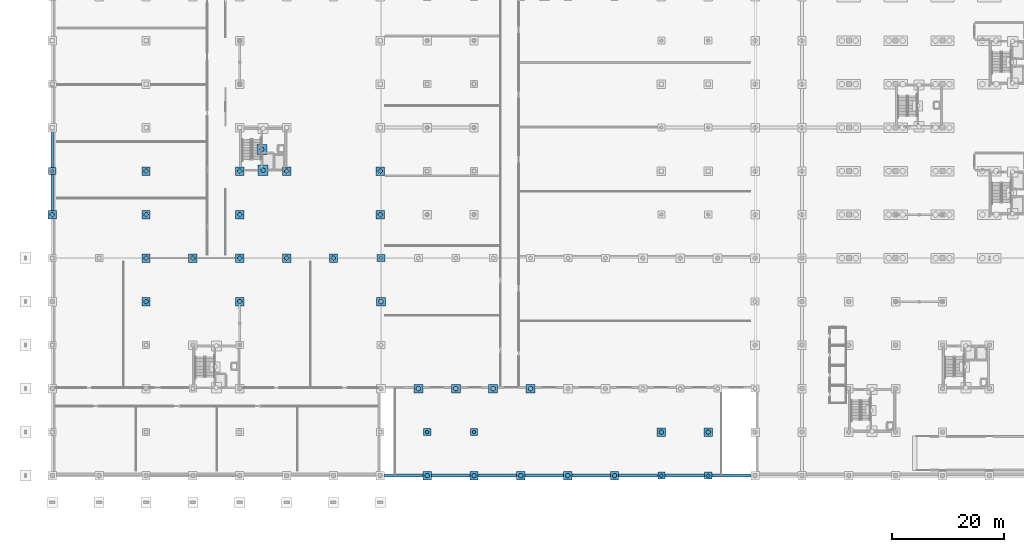
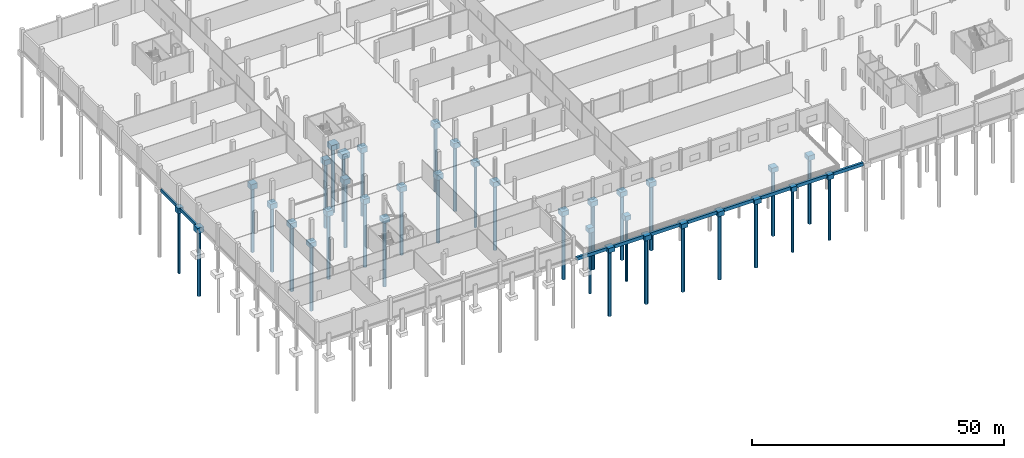
# One storey, part 2 of 48: 45 footings, 35 piles.
"""IFC4 building model written with IfcOpenShell, lengths in metres."""

from ifc_helpers import new_model, si_unit, direction, frame, origin, origin_2d, place, context, subcontext, project, spatial, polyline, rectangle, circle, outline, extrude, material, material_profile, profile_set, type_object, element, save


model = new_model("IFC4")

# Units and contexts
model_context = context("Model", 3, precision=1e-05, world=origin(), true_north=direction((0.0, 1.0)))
body_context = subcontext(model_context, "Body", "Model", "MODEL_VIEW")
ifc_project = project(units=[si_unit("LENGTHUNIT", "METRE"), si_unit("AREAUNIT", "SQUARE_METRE"), si_unit("VOLUMEUNIT", "CUBIC_METRE"), si_unit("PLANEANGLEUNIT", "RADIAN"), si_unit("MASSUNIT", "GRAM", prefix="KILO")], contexts=[model_context])

# Site, building, storey
site_placement = place(None, origin())
site = spatial("IfcSite", under=ifc_project, at=site_placement, CompositionType="ELEMENT")
building_placement = place(site_placement, origin())
building = spatial("IfcBuilding", under=site, at=building_placement, Name="Nabrawat Pavilion Hospital", CompositionType="ELEMENT")
storey_placement = place(building_placement, frame((0.0, 0.0, -5.10009765625)))
storey = spatial("IfcBuildingStorey", under=building, at=storey_placement, Name="B1", CompositionType="ELEMENT", Elevation=-5.10009765625)

# Piles
ifc_material = material(Name="Concrete C35/45", Category="concrete")
ifc_material_profile_1 = material_profile(ifc_material, circle(Radius=0.300048828125, at=origin_2d()), Name="DIA 600")
ifc_profile_set_1 = profile_set([ifc_material_profile_1], Name="Concrete C35/45")
pile_type_1 = type_object("IfcPileType", Name="Bored Concrete Pile D600", PredefinedType="BORED", material=ifc_profile_set_1)
pile_1_placement = place(storey_placement, frame((0.0, 54.60009765625, -1.39990234375), z_axis=(0.0, 0.0, -1.0), x_axis=(1.0, 0.0, 0.0)))
element("IfcPile", 1, at=pile_1_placement, inside=storey, type_object=pile_type_1, Name="Bored Pile P-600 0008", PredefinedType="BORED", context=body_context, shape_type="SweptSolid", body=[
    extrude(circle(Radius=0.300048828125, at=origin_2d()), origin(), (0.0, 0.0, 1.0), 15.0),
])
pile_2_placement = place(storey_placement, frame((58.919921875, 39.0, -1.2998046875), z_axis=(0.0, 0.0, -1.0), x_axis=(1.0, 0.0, 0.0)))
element("IfcPile", 2, at=pile_2_placement, inside=storey, type_object=pile_type_1, Name="Bored Pile P-600 0086", PredefinedType="BORED", context=body_context, shape_type="SweptSolid", body=[
    extrude(circle(Radius=0.300048828125, at=origin_2d()), origin(), (0.0, 0.0, 1.0), 15.10009765625),
])
for number, where, z_axis, x_axis, name in (
    (3, (67.199951171875, 7.800048828125, -1.27001953125), (0.0, 0.0, -1.0), (1.0, 0.0, 0.0), "Bored Pile P-600 0090"),
    (4, (75.60009765625, 7.800048828125, -1.27001953125), (0.0, 0.0, -1.0), (1.0, 0.0, 0.0), "Bored Pile P-600 0104"),
    (5, (109.199951171875, 0.0, -1.27001953125), (0.0, 0.0, -1.0), (1.0, 0.0, 0.0), "Bored Pile P-600 0136"),
    (6, (117.60009765625, 0.0, -1.27001953125), (0.0, 0.0, -1.0), (1.0, 0.0, 0.0), "Bored Pile P-600 0150"),
):
    element("IfcPile", number, at=place(storey_placement, frame(where, z_axis=z_axis, x_axis=x_axis)), inside=storey, type_object=pile_type_1, Name=name, PredefinedType="BORED", context=body_context, shape_type="SweptSolid", body=[
        extrude(circle(Radius=0.300048828125, at=origin_2d()), origin(), (0.0, 0.0, 1.0), 15.1298828125),
    ])
ifc_material_profile_2 = material_profile(ifc_material, circle(Radius=0.39990234375, at=origin_2d()), Name="DIA 800")
ifc_profile_set_2 = profile_set([ifc_material_profile_2], Name="Concrete C35/45")
pile_type_2 = type_object("IfcPileType", Name="Bored Concrete Pile D800", PredefinedType="BORED", material=ifc_profile_set_2)
pile_3_placement = place(storey_placement, frame((0.0, 46.800048828125, -1.39990234375), z_axis=(0.0, 0.0, -1.0), x_axis=(1.0, 0.0, 0.0)))
element("IfcPile", 7, at=pile_3_placement, inside=storey, type_object=pile_type_2, Name="Bored Pile P-800 0007", PredefinedType="BORED", context=body_context, shape_type="SweptSolid", body=[
    extrude(circle(Radius=0.39990234375, at=origin_2d()), origin(), (0.0, 0.0, 1.0), 15.699951171875),
])
pile_4_placement = place(storey_placement, frame((16.800048828125, 31.199951171875, -1.27001953125), z_axis=(0.0, 0.0, -1.0), x_axis=(1.0, 0.0, 0.0)))
element("IfcPile", 8, at=pile_4_placement, inside=storey, type_object=pile_type_2, Name="Bored Pile P-800 0025", PredefinedType="BORED", context=body_context, shape_type="SweptSolid", body=[
    extrude(circle(Radius=0.39990234375, at=origin_2d()), origin(), (0.0, 0.0, 1.0), 15.830078125),
])
for number, where, z_axis, x_axis, name in (
    (9, (16.800048828125, 39.0, -1.39990234375), (0.0, 0.0, -1.0), (1.0, 0.0, 0.0), "Bored Pile P-800 0026"),
    (10, (16.800048828125, 46.800048828125, -1.39990234375), (0.0, 0.0, -1.0), (1.0, 0.0, 0.0), "Bored Pile P-800 0027"),
    (11, (16.800048828125, 54.60009765625, -1.39990234375), (0.0, 0.0, -1.0), (1.0, 0.0, 0.0), "Bored Pile P-800 0028"),
    (12, (25.199951171875, 39.0, -1.39990234375), (0.0, 0.0, -1.0), (1.0, 0.0, 0.0), "Bored Pile P-800 0040"),
):
    element("IfcPile", number, at=place(storey_placement, frame(where, z_axis=z_axis, x_axis=x_axis)), inside=storey, type_object=pile_type_2, Name=name, PredefinedType="BORED", context=body_context, shape_type="SweptSolid", body=[
        extrude(circle(Radius=0.39990234375, at=origin_2d()), origin(), (0.0, 0.0, 1.0), 15.699951171875),
    ])
pile_5_placement = place(storey_placement, frame((33.60009765625, 31.199951171875, -1.27001953125), z_axis=(0.0, 0.0, -1.0), x_axis=(1.0, 0.0, 0.0)))
element("IfcPile", 13, at=pile_5_placement, inside=storey, type_object=pile_type_2, Name="Bored Pile P-800 0049", PredefinedType="BORED", context=body_context, shape_type="SweptSolid", body=[
    extrude(circle(Radius=0.39990234375, at=origin_2d()), origin(), (0.0, 0.0, 1.0), 15.830078125),
])
for number, where, z_axis, x_axis, name in (
    (14, (33.60009765625, 39.0, -1.39990234375), (0.0, 0.0, -1.0), (1.0, 0.0, 0.0), "Bored Pile P-800 0050"),
    (15, (33.60009765625, 46.800048828125, -1.39990234375), (0.0, 0.0, -1.0), (1.0, 0.0, 0.0), "Bored Pile P-800 0051"),
    (16, (33.60009765625, 54.60009765625, -1.39990234375), (0.0, 0.0, -1.0), (1.0, 0.0, 0.0), "Bored Pile P-800 0052"),
    (17, (42.0, 39.0, -1.39990234375), (0.0, 0.0, -1.0), (1.0, 0.0, 0.0), "Bored Pile P-800 0062"),
    (18, (42.0, 54.60009765625, -1.39990234375), (0.0, 0.0, -1.0), (1.0, 0.0, 0.0), "Bored Pile P-800 0063"),
    (19, (50.39990234375, 39.0, -1.39990234375), (0.0, 0.0, -1.0), (1.0, 0.0, 0.0), "Bored Pile P-800 0068"),
    (20, (58.800048828125, 46.800048828125, -1.39990234375), (0.0, 0.0, -1.0), (1.0, 0.0, 0.0), "Bored Pile P-800 0073"),
    (21, (58.800048828125, 54.60009765625, -1.39990234375), (0.0, 0.0, -1.0), (1.0, 0.0, 0.0), "Bored Pile P-800 0074"),
):
    element("IfcPile", number, at=place(storey_placement, frame(where, z_axis=z_axis, x_axis=x_axis)), inside=storey, type_object=pile_type_2, Name=name, PredefinedType="BORED", context=body_context, shape_type="SweptSolid", body=[
        extrude(circle(Radius=0.39990234375, at=origin_2d()), origin(), (0.0, 0.0, 1.0), 15.699951171875),
    ])
for number, where, z_axis, x_axis, name in (
    (22, (58.919921875, 31.199951171875, -1.2998046875), (0.0, 0.0, -1.0), (1.0, 0.0, 0.0), "Bored Pile P-800 0085"),
    (23, (65.6279296875, 15.60009765625, -1.2998046875), (0.0, 0.0, -1.0), (1.0, 0.0, 0.0), "Bored Pile P-800 0087"),
):
    element("IfcPile", number, at=place(storey_placement, frame(where, z_axis=z_axis, x_axis=x_axis)), inside=storey, type_object=pile_type_2, Name=name, PredefinedType="BORED", context=body_context, shape_type="SweptSolid", body=[
        extrude(circle(Radius=0.39990234375, at=origin_2d()), origin(), (0.0, 0.0, 1.0), 15.800048828125),
    ])
pile_6_placement = place(storey_placement, frame((67.199951171875, 0.0, -1.27001953125), z_axis=(0.0, 0.0, -1.0), x_axis=(1.0, 0.0, 0.0)))
element("IfcPile", 24, at=pile_6_placement, inside=storey, type_object=pile_type_2, Name="Bored Pile P-800 0089", PredefinedType="BORED", context=body_context, shape_type="SweptSolid", body=[
    extrude(circle(Radius=0.39990234375, at=origin_2d()), origin(), (0.0, 0.0, 1.0), 15.830078125),
])
pile_7_placement = place(storey_placement, frame((72.3359375, 15.60009765625, -1.2998046875), z_axis=(0.0, 0.0, -1.0), x_axis=(1.0, 0.0, 0.0)))
element("IfcPile", 25, at=pile_7_placement, inside=storey, type_object=pile_type_2, Name="Bored Pile P-800 0101", PredefinedType="BORED", context=body_context, shape_type="SweptSolid", body=[
    extrude(circle(Radius=0.39990234375, at=origin_2d()), origin(), (0.0, 0.0, 1.0), 15.800048828125),
])
pile_8_placement = place(storey_placement, frame((75.60009765625, 0.0, -1.27001953125), z_axis=(0.0, 0.0, -1.0), x_axis=(1.0, 0.0, 0.0)))
element("IfcPile", 26, at=pile_8_placement, inside=storey, type_object=pile_type_2, Name="Bored Pile P-800 0103", PredefinedType="BORED", context=body_context, shape_type="SweptSolid", body=[
    extrude(circle(Radius=0.39990234375, at=origin_2d()), origin(), (0.0, 0.0, 1.0), 15.830078125),
])
pile_9_placement = place(storey_placement, frame((79.0439453125, 15.60009765625, -1.2998046875), z_axis=(0.0, 0.0, -1.0), x_axis=(1.0, 0.0, 0.0)))
element("IfcPile", 27, at=pile_9_placement, inside=storey, type_object=pile_type_2, Name="Bored Pile P-800 0115", PredefinedType="BORED", context=body_context, shape_type="SweptSolid", body=[
    extrude(circle(Radius=0.39990234375, at=origin_2d()), origin(), (0.0, 0.0, 1.0), 15.800048828125),
])
pile_10_placement = place(storey_placement, frame((84.0, 0.0, -1.27001953125), z_axis=(0.0, 0.0, -1.0), x_axis=(1.0, 0.0, 0.0)))
element("IfcPile", 28, at=pile_10_placement, inside=storey, type_object=pile_type_2, Name="Bored Pile P-800 0117", PredefinedType="BORED", context=body_context, shape_type="SweptSolid", body=[
    extrude(circle(Radius=0.39990234375, at=origin_2d()), origin(), (0.0, 0.0, 1.0), 15.830078125),
])
pile_11_placement = place(storey_placement, frame((85.751953125, 15.60009765625, -1.2998046875), z_axis=(0.0, 0.0, -1.0), x_axis=(1.0, 0.0, 0.0)))
element("IfcPile", 29, at=pile_11_placement, inside=storey, type_object=pile_type_2, Name="Bored Pile P-800 0121", PredefinedType="BORED", context=body_context, shape_type="SweptSolid", body=[
    extrude(circle(Radius=0.39990234375, at=origin_2d()), origin(), (0.0, 0.0, 1.0), 15.800048828125),
])
for number, where, z_axis, x_axis, name in (
    (30, (92.39990234375, 0.0, -1.27001953125), (0.0, 0.0, -1.0), (1.0, 0.0, 0.0), "Bored Pile P-800 0123"),
    (31, (100.800048828125, 0.0, -1.27001953125), (0.0, 0.0, -1.0), (1.0, 0.0, 0.0), "Bored Pile P-800 0131"),
    (32, (109.199951171875, 7.800048828125, -1.27001953125), (0.0, 0.0, -1.0), (1.0, 0.0, 0.0), "Bored Pile P-800 0137"),
    (33, (117.60009765625, 7.800048828125, -1.27001953125), (0.0, 0.0, -1.0), (1.0, 0.0, 0.0), "Bored Pile P-800 0151"),
):
    element("IfcPile", number, at=place(storey_placement, frame(where, z_axis=z_axis, x_axis=x_axis)), inside=storey, type_object=pile_type_2, Name=name, PredefinedType="BORED", context=body_context, shape_type="SweptSolid", body=[
        extrude(circle(Radius=0.39990234375, at=origin_2d()), origin(), (0.0, 0.0, 1.0), 15.830078125),
    ])
for number, where, z_axis, x_axis, name in (
    (34, (37.800048828125, 54.75, -1.369873046875), (0.0, 0.0, -1.0), (1.0, 0.0, 0.0), "Bored Pile P-800 0378"),
    (35, (37.550048828125, 58.5, -1.369873046875), (0.0, 0.0, -1.0), (1.0, 0.0, 0.0), "Bored Pile P-800 0380"),
):
    element("IfcPile", number, at=place(storey_placement, frame(where, z_axis=z_axis, x_axis=x_axis)), inside=storey, type_object=pile_type_2, Name=name, PredefinedType="BORED", context=body_context, shape_type="SweptSolid", body=[
        extrude(circle(Radius=0.39990234375, at=origin_2d()), origin(), (0.0, 0.0, 1.0), 15.72998046875),
    ])

# Footings
ifc_material_profile_3 = material_profile(ifc_material, rectangle(XDim=0.39990234375, YDim=0.699951171875, at=origin_2d()), Name="RC 400x700")
ifc_profile_set_3 = profile_set([ifc_material_profile_3], Name="Concrete C35/45")
footing_type_1 = type_object("IfcFootingType", Name="Concrete Ground Tie Beam 400x700", PredefinedType="FOOTING_BEAM", material=ifc_profile_set_3)
for number, where, z_axis, x_axis, name in (
    (36, (0.0, 47.530029296875, -0.56982421875), (0.0, 1.0, 0.0), (-1.0, 0.0, 0.0), "B1 Ground Tie Beam Y 049"),
    (37, (0.0, 55.22998046875, -0.56982421875), (0.0, 1.0, 0.0), (-1.0, 0.0, 0.0), "B1 Ground Tie Beam Y 050"),
):
    element("IfcFooting", number, at=place(storey_placement, frame(where, z_axis=z_axis, x_axis=x_axis)), inside=storey, type_object=footing_type_1, Name=name, PredefinedType="FOOTING_BEAM", context=body_context, shape_type="SweptSolid", body=[
        extrude(rectangle(XDim=0.39990234375, YDim=0.699951171875, at=origin_2d()), origin(), (0.0, 0.0, 1.0), 6.43994140625),
    ])
ifc_material_profile_4 = material_profile(ifc_material, rectangle(XDim=0.5, YDim=0.800048828125, at=origin_2d()), Name="RC 500x800")
ifc_profile_set_4 = profile_set([ifc_material_profile_4], Name="Concrete C35/45")
footing_type_2 = type_object("IfcFootingType", Name="Concrete Ground Tie Beam 500x800", PredefinedType="FOOTING_BEAM", material=ifc_profile_set_4)
footing_1_placement = place(storey_placement, frame((59.530029296875, 0.0, -0.619873046875), z_axis=(1.0, 0.0, 0.0), x_axis=(0.0, 1.0, 0.0)))
element("IfcFooting", 38, at=footing_1_placement, inside=storey, type_object=footing_type_2, Name="B1 Ground Tie Beam X 008", PredefinedType="FOOTING_BEAM", context=body_context, shape_type="SweptSolid", body=[
    extrude(rectangle(XDim=0.5, YDim=0.800048828125, at=origin_2d()), origin(), (0.0, 0.0, 1.0), 6.93994140625),
])
footing_2_placement = place(storey_placement, frame((67.929931640625, 0.0, -0.619873046875), z_axis=(1.0, 0.0, 0.0), x_axis=(0.0, 1.0, 0.0)))
element("IfcFooting", 39, at=footing_2_placement, inside=storey, type_object=footing_type_2, Name="B1 Ground Tie Beam X 009", PredefinedType="FOOTING_BEAM", context=body_context, shape_type="SweptSolid", body=[
    extrude(rectangle(XDim=0.5, YDim=0.800048828125, at=origin_2d()), origin(), (0.0, 0.0, 1.0), 6.940185546875),
])
for number, where, z_axis, x_axis, name in (
    (40, (76.330078125, 0.0, -0.619873046875), (1.0, 0.0, 0.0), (0.0, 1.0, 0.0), "B1 Ground Tie Beam X 010"),
    (41, (84.72998046875, 0.0, -0.619873046875), (1.0, 0.0, 0.0), (0.0, 1.0, 0.0), "B1 Ground Tie Beam X 011"),
):
    element("IfcFooting", number, at=place(storey_placement, frame(where, z_axis=z_axis, x_axis=x_axis)), inside=storey, type_object=footing_type_2, Name=name, PredefinedType="FOOTING_BEAM", context=body_context, shape_type="SweptSolid", body=[
        extrude(rectangle(XDim=0.5, YDim=0.800048828125, at=origin_2d()), origin(), (0.0, 0.0, 1.0), 6.93994140625),
    ])
footing_3_placement = place(storey_placement, frame((93.1298828125, 0.0, -0.619873046875), z_axis=(1.0, 0.0, 0.0), x_axis=(0.0, 1.0, 0.0)))
element("IfcFooting", 42, at=footing_3_placement, inside=storey, type_object=footing_type_2, Name="B1 Ground Tie Beam X 012", PredefinedType="FOOTING_BEAM", context=body_context, shape_type="SweptSolid", body=[
    extrude(rectangle(XDim=0.5, YDim=0.800048828125, at=origin_2d()), origin(), (0.0, 0.0, 1.0), 6.940185546875),
])
footing_4_placement = place(storey_placement, frame((101.530029296875, 0.0, -0.619873046875), z_axis=(1.0, 0.0, 0.0), x_axis=(0.0, 1.0, 0.0)))
element("IfcFooting", 43, at=footing_4_placement, inside=storey, type_object=footing_type_2, Name="B1 Ground Tie Beam X 013", PredefinedType="FOOTING_BEAM", context=body_context, shape_type="SweptSolid", body=[
    extrude(rectangle(XDim=0.5, YDim=0.800048828125, at=origin_2d()), origin(), (0.0, 0.0, 1.0), 7.0400390625),
])
footing_5_placement = place(storey_placement, frame((109.830078125, 0.0, -0.619873046875), z_axis=(1.0, 0.0, 0.0), x_axis=(0.0, 1.0, 0.0)))
element("IfcFooting", 44, at=footing_5_placement, inside=storey, type_object=footing_type_2, Name="B1 Ground Tie Beam X 014", PredefinedType="FOOTING_BEAM", context=body_context, shape_type="SweptSolid", body=[
    extrude(rectangle(XDim=0.5, YDim=0.800048828125, at=origin_2d()), origin(), (0.0, 0.0, 1.0), 7.139892578125),
])
footing_6_placement = place(storey_placement, frame((118.22998046875, 0.0, -0.619873046875), z_axis=(1.0, 0.0, 0.0), x_axis=(0.0, 1.0, 0.0)))
element("IfcFooting", 45, at=footing_6_placement, inside=storey, type_object=footing_type_2, Name="B1 Ground Tie Beam X 015", PredefinedType="FOOTING_BEAM", context=body_context, shape_type="SweptSolid", body=[
    extrude(rectangle(XDim=0.5, YDim=0.800048828125, at=origin_2d()), origin(), (0.0, 0.0, 1.0), 7.0400390625),
])
footing_type_3 = type_object("IfcFootingType", Name="Reinforced Concrete Pile Cap 1300x1300x1150", PredefinedType="PILE_CAP", material=ifc_material)
footing_7_placement = place(storey_placement, frame((0.0, 0.0, -1.369873046875)))
element("IfcFooting", 46, at=footing_7_placement, inside=storey, type_object=footing_type_3, Name="B1 Combined Pile Cap CAP-090", PredefinedType="PILE_CAP", context=body_context, shape_type="SweptSolid", body=[
    extrude(outline(polyline([(67.85009765625, 7.14990234375), (67.85009765625, 8.449951171875), (66.550048828125, 8.449951171875), (66.550048828125, 7.14990234375), (67.85009765625, 7.14990234375)])), origin(), (0.0, 0.0, 1.0), 1.14990234375),
])
footing_8_placement = place(storey_placement, frame((0.0, 0.0, -1.369873046875)))
element("IfcFooting", 47, at=footing_8_placement, inside=storey, type_object=footing_type_3, Name="B1 Combined Pile Cap CAP-104", PredefinedType="PILE_CAP", context=body_context, shape_type="SweptSolid", body=[
    extrude(outline(polyline([(76.25, 7.14990234375), (76.25, 8.449951171875), (74.949951171875, 8.449951171875), (74.949951171875, 7.14990234375), (76.25, 7.14990234375)])), origin(), (0.0, 0.0, 1.0), 1.14990234375),
])
footing_9_placement = place(storey_placement, frame((0.0, 0.0, -1.369873046875)))
element("IfcFooting", 48, at=footing_9_placement, inside=storey, type_object=footing_type_3, Name="B1 Combined Pile Cap CAP-136", PredefinedType="PILE_CAP", context=body_context, shape_type="SweptSolid", body=[
    extrude(outline(polyline([(109.85009765625, -0.64990234375), (109.85009765625, 0.64990234375), (108.550048828125, 0.64990234375), (108.550048828125, -0.64990234375), (109.85009765625, -0.64990234375)])), origin(), (0.0, 0.0, 1.0), 1.14990234375),
])
footing_10_placement = place(storey_placement, frame((0.0, 0.0, -1.369873046875)))
element("IfcFooting", 49, at=footing_10_placement, inside=storey, type_object=footing_type_3, Name="B1 Combined Pile Cap CAP-150", PredefinedType="PILE_CAP", context=body_context, shape_type="SweptSolid", body=[
    extrude(outline(polyline([(118.25, -0.64990234375), (118.25, 0.64990234375), (116.949951171875, 0.64990234375), (116.949951171875, -0.64990234375), (118.25, -0.64990234375)])), origin(), (0.0, 0.0, 1.0), 1.14990234375),
])
footing_type_4 = type_object("IfcFootingType", Name="Reinforced Concrete Pile Cap 1300x1300x1280", PredefinedType="PILE_CAP", material=ifc_material)
footing_11_placement = place(storey_placement, frame((0.0, 0.0, -1.5)))
element("IfcFooting", 50, at=footing_11_placement, inside=storey, type_object=footing_type_4, Name="B1 Combined Pile Cap CAP-008", PredefinedType="PILE_CAP", context=body_context, shape_type="SweptSolid", body=[
    extrude(outline(polyline([(0.64990234375, 53.949951171875), (0.64990234375, 55.25), (-0.64990234375, 55.25), (-0.64990234375, 53.949951171875), (0.64990234375, 53.949951171875)])), origin(), (0.0, 0.0, 1.0), 1.280029296875),
])
footing_type_5 = type_object("IfcFootingType", Name="Reinforced Concrete Pile Cap 1300x1400x1180", PredefinedType="PILE_CAP", material=ifc_material)
footing_12_placement = place(storey_placement, frame((0.0, 0.0, -1.39990234375)))
element("IfcFooting", 51, at=footing_12_placement, inside=storey, type_object=footing_type_5, Name="B1 Combined Pile Cap CAP-086", PredefinedType="PILE_CAP", context=body_context, shape_type="SweptSolid", body=[
    extrude(outline(polyline([(59.6201171875, 38.35009765625), (59.6201171875, 39.64990234375), (58.219970703125, 39.64990234375), (58.219970703125, 38.35009765625), (59.6201171875, 38.35009765625)])), origin(), (0.0, 0.0, 1.0), 1.179931640625),
])
footing_type_6 = type_object("IfcFootingType", Name="Reinforced Concrete Pile Cap 1500x1500x1150", PredefinedType="PILE_CAP", material=ifc_material)
footing_13_placement = place(storey_placement, frame((0.0, 0.0, -1.369873046875)))
element("IfcFooting", 52, at=footing_13_placement, inside=storey, type_object=footing_type_6, Name="B1 Combined Pile Cap CAP-025", PredefinedType="PILE_CAP", context=body_context, shape_type="SweptSolid", body=[
    extrude(outline(polyline([(17.550048828125, 30.449951171875), (17.550048828125, 31.949951171875), (16.050048828125, 31.949951171875), (16.050048828125, 30.449951171875), (17.550048828125, 30.449951171875)])), origin(), (0.0, 0.0, 1.0), 1.14990234375),
])
footing_14_placement = place(storey_placement, frame((0.0, 0.0, -1.369873046875)))
element("IfcFooting", 53, at=footing_14_placement, inside=storey, type_object=footing_type_6, Name="B1 Combined Pile Cap CAP-049", PredefinedType="PILE_CAP", context=body_context, shape_type="SweptSolid", body=[
    extrude(outline(polyline([(34.35009765625, 30.449951171875), (34.35009765625, 31.949951171875), (32.85009765625, 31.949951171875), (32.85009765625, 30.449951171875), (34.35009765625, 30.449951171875)])), origin(), (0.0, 0.0, 1.0), 1.14990234375),
])
footing_15_placement = place(storey_placement, frame((0.0, 0.0, -1.369873046875)))
element("IfcFooting", 54, at=footing_15_placement, inside=storey, type_object=footing_type_6, Name="B1 Combined Pile Cap CAP-089", PredefinedType="PILE_CAP", context=body_context, shape_type="SweptSolid", body=[
    extrude(outline(polyline([(67.949951171875, -0.75), (67.949951171875, 0.75), (66.449951171875, 0.75), (66.449951171875, -0.75), (67.949951171875, -0.75)])), origin(), (0.0, 0.0, 1.0), 1.14990234375),
])
footing_16_placement = place(storey_placement, frame((0.0, 0.0, -1.369873046875)))
element("IfcFooting", 55, at=footing_16_placement, inside=storey, type_object=footing_type_6, Name="B1 Combined Pile Cap CAP-103", PredefinedType="PILE_CAP", context=body_context, shape_type="SweptSolid", body=[
    extrude(outline(polyline([(76.35009765625, -0.75), (76.35009765625, 0.75), (74.85009765625, 0.75), (74.85009765625, -0.75), (76.35009765625, -0.75)])), origin(), (0.0, 0.0, 1.0), 1.14990234375),
])
footing_17_placement = place(storey_placement, frame((0.0, 0.0, -1.369873046875)))
element("IfcFooting", 56, at=footing_17_placement, inside=storey, type_object=footing_type_6, Name="B1 Combined Pile Cap CAP-117", PredefinedType="PILE_CAP", context=body_context, shape_type="SweptSolid", body=[
    extrude(outline(polyline([(84.75, -0.75), (84.75, 0.75), (83.25, 0.75), (83.25, -0.75), (84.75, -0.75)])), origin(), (0.0, 0.0, 1.0), 1.14990234375),
])
footing_18_placement = place(storey_placement, frame((0.0, 0.0, -1.369873046875)))
element("IfcFooting", 57, at=footing_18_placement, inside=storey, type_object=footing_type_6, Name="B1 Combined Pile Cap CAP-123", PredefinedType="PILE_CAP", context=body_context, shape_type="SweptSolid", body=[
    extrude(outline(polyline([(93.14990234375, -0.75), (93.14990234375, 0.75), (91.64990234375, 0.75), (91.64990234375, -0.75), (93.14990234375, -0.75)])), origin(), (0.0, 0.0, 1.0), 1.14990234375),
])
footing_19_placement = place(storey_placement, frame((0.0, 0.0, -1.369873046875)))
element("IfcFooting", 58, at=footing_19_placement, inside=storey, type_object=footing_type_6, Name="B1 Combined Pile Cap CAP-131", PredefinedType="PILE_CAP", context=body_context, shape_type="SweptSolid", body=[
    extrude(outline(polyline([(101.550048828125, -0.75), (101.550048828125, 0.75), (100.050048828125, 0.75), (100.050048828125, -0.75), (101.550048828125, -0.75)])), origin(), (0.0, 0.0, 1.0), 1.14990234375),
])
footing_20_placement = place(storey_placement, frame((0.0, 0.0, -1.369873046875)))
element("IfcFooting", 59, at=footing_20_placement, inside=storey, type_object=footing_type_6, Name="B1 Combined Pile Cap CAP-137", PredefinedType="PILE_CAP", context=body_context, shape_type="SweptSolid", body=[
    extrude(outline(polyline([(109.949951171875, 7.050048828125), (109.949951171875, 8.550048828125), (108.449951171875, 8.550048828125), (108.449951171875, 7.050048828125), (109.949951171875, 7.050048828125)])), origin(), (0.0, 0.0, 1.0), 1.14990234375),
])
footing_21_placement = place(storey_placement, frame((0.0, 0.0, -1.369873046875)))
element("IfcFooting", 60, at=footing_21_placement, inside=storey, type_object=footing_type_6, Name="B1 Combined Pile Cap CAP-151", PredefinedType="PILE_CAP", context=body_context, shape_type="SweptSolid", body=[
    extrude(outline(polyline([(118.35009765625, 7.050048828125), (118.35009765625, 8.550048828125), (116.85009765625, 8.550048828125), (116.85009765625, 7.050048828125), (118.35009765625, 7.050048828125)])), origin(), (0.0, 0.0, 1.0), 1.14990234375),
])
footing_type_7 = type_object("IfcFootingType", Name="Reinforced Concrete Pile Cap 1500x1500x1280", PredefinedType="PILE_CAP", material=ifc_material)
footing_22_placement = place(storey_placement, frame((0.0, 0.0, -1.5)))
element("IfcFooting", 61, at=footing_22_placement, inside=storey, type_object=footing_type_7, Name="B1 Combined Pile Cap CAP-007", PredefinedType="PILE_CAP", context=body_context, shape_type="SweptSolid", body=[
    extrude(outline(polyline([(0.75, 46.050048828125), (0.75, 47.550048828125), (-0.75, 47.550048828125), (-0.75, 46.050048828125), (0.75, 46.050048828125)])), origin(), (0.0, 0.0, 1.0), 1.280029296875),
])
footing_23_placement = place(storey_placement, frame((0.0, 0.0, -1.5)))
element("IfcFooting", 62, at=footing_23_placement, inside=storey, type_object=footing_type_7, Name="B1 Combined Pile Cap CAP-026", PredefinedType="PILE_CAP", context=body_context, shape_type="SweptSolid", body=[
    extrude(outline(polyline([(17.550048828125, 38.25), (17.550048828125, 39.75), (16.050048828125, 39.75), (16.050048828125, 38.25), (17.550048828125, 38.25)])), origin(), (0.0, 0.0, 1.0), 1.280029296875),
])
footing_24_placement = place(storey_placement, frame((0.0, 0.0, -1.5)))
element("IfcFooting", 63, at=footing_24_placement, inside=storey, type_object=footing_type_7, Name="B1 Combined Pile Cap CAP-027", PredefinedType="PILE_CAP", context=body_context, shape_type="SweptSolid", body=[
    extrude(outline(polyline([(17.550048828125, 46.050048828125), (17.550048828125, 47.550048828125), (16.050048828125, 47.550048828125), (16.050048828125, 46.050048828125), (17.550048828125, 46.050048828125)])), origin(), (0.0, 0.0, 1.0), 1.280029296875),
])
footing_25_placement = place(storey_placement, frame((0.0, 0.0, -1.5)))
element("IfcFooting", 64, at=footing_25_placement, inside=storey, type_object=footing_type_7, Name="B1 Combined Pile Cap CAP-028", PredefinedType="PILE_CAP", context=body_context, shape_type="SweptSolid", body=[
    extrude(outline(polyline([(17.550048828125, 53.85009765625), (17.550048828125, 55.35009765625), (16.050048828125, 55.35009765625), (16.050048828125, 53.85009765625), (17.550048828125, 53.85009765625)])), origin(), (0.0, 0.0, 1.0), 1.280029296875),
])
footing_26_placement = place(storey_placement, frame((0.0, 0.0, -1.5)))
element("IfcFooting", 65, at=footing_26_placement, inside=storey, type_object=footing_type_7, Name="B1 Combined Pile Cap CAP-040", PredefinedType="PILE_CAP", context=body_context, shape_type="SweptSolid", body=[
    extrude(outline(polyline([(25.949951171875, 38.25), (25.949951171875, 39.75), (24.449951171875, 39.75), (24.449951171875, 38.25), (25.949951171875, 38.25)])), origin(), (0.0, 0.0, 1.0), 1.280029296875),
])
footing_27_placement = place(storey_placement, frame((0.0, 0.0, -1.5)))
element("IfcFooting", 66, at=footing_27_placement, inside=storey, type_object=footing_type_7, Name="B1 Combined Pile Cap CAP-050", PredefinedType="PILE_CAP", context=body_context, shape_type="SweptSolid", body=[
    extrude(outline(polyline([(34.35009765625, 38.25), (34.35009765625, 39.75), (32.85009765625, 39.75), (32.85009765625, 38.25), (34.35009765625, 38.25)])), origin(), (0.0, 0.0, 1.0), 1.280029296875),
])
footing_28_placement = place(storey_placement, frame((0.0, 0.0, -1.5)))
element("IfcFooting", 67, at=footing_28_placement, inside=storey, type_object=footing_type_7, Name="B1 Combined Pile Cap CAP-051", PredefinedType="PILE_CAP", context=body_context, shape_type="SweptSolid", body=[
    extrude(outline(polyline([(34.35009765625, 46.050048828125), (34.35009765625, 47.550048828125), (32.85009765625, 47.550048828125), (32.85009765625, 46.050048828125), (34.35009765625, 46.050048828125)])), origin(), (0.0, 0.0, 1.0), 1.280029296875),
])
footing_29_placement = place(storey_placement, frame((0.0, 0.0, -1.5)))
element("IfcFooting", 68, at=footing_29_placement, inside=storey, type_object=footing_type_7, Name="B1 Combined Pile Cap CAP-052", PredefinedType="PILE_CAP", context=body_context, shape_type="SweptSolid", body=[
    extrude(outline(polyline([(34.35009765625, 53.85009765625), (34.35009765625, 55.35009765625), (32.85009765625, 55.35009765625), (32.85009765625, 53.85009765625), (34.35009765625, 53.85009765625)])), origin(), (0.0, 0.0, 1.0), 1.280029296875),
])
footing_30_placement = place(storey_placement, frame((0.0, 0.0, -1.5)))
element("IfcFooting", 69, at=footing_30_placement, inside=storey, type_object=footing_type_7, Name="B1 Combined Pile Cap CAP-062", PredefinedType="PILE_CAP", context=body_context, shape_type="SweptSolid", body=[
    extrude(outline(polyline([(42.75, 38.25), (42.75, 39.75), (41.25, 39.75), (41.25, 38.25), (42.75, 38.25)])), origin(), (0.0, 0.0, 1.0), 1.280029296875),
])
footing_31_placement = place(storey_placement, frame((0.0, 0.0, -1.5)))
element("IfcFooting", 70, at=footing_31_placement, inside=storey, type_object=footing_type_7, Name="B1 Combined Pile Cap CAP-063", PredefinedType="PILE_CAP", context=body_context, shape_type="SweptSolid", body=[
    extrude(outline(polyline([(42.75, 53.85009765625), (42.75, 55.35009765625), (41.25, 55.35009765625), (41.25, 53.85009765625), (42.75, 53.85009765625)])), origin(), (0.0, 0.0, 1.0), 1.280029296875),
])
footing_32_placement = place(storey_placement, frame((0.0, 0.0, -1.5)))
element("IfcFooting", 71, at=footing_32_placement, inside=storey, type_object=footing_type_7, Name="B1 Combined Pile Cap CAP-068", PredefinedType="PILE_CAP", context=body_context, shape_type="SweptSolid", body=[
    extrude(outline(polyline([(51.14990234375, 38.25), (51.14990234375, 39.75), (49.64990234375, 39.75), (49.64990234375, 38.25), (51.14990234375, 38.25)])), origin(), (0.0, 0.0, 1.0), 1.280029296875),
])
footing_33_placement = place(storey_placement, frame((0.0, 0.0, -1.5)))
element("IfcFooting", 72, at=footing_33_placement, inside=storey, type_object=footing_type_7, Name="B1 Combined Pile Cap CAP-073", PredefinedType="PILE_CAP", context=body_context, shape_type="SweptSolid", body=[
    extrude(outline(polyline([(59.550048828125, 46.050048828125), (59.550048828125, 47.550048828125), (58.050048828125, 47.550048828125), (58.050048828125, 46.050048828125), (59.550048828125, 46.050048828125)])), origin(), (0.0, 0.0, 1.0), 1.280029296875),
])
footing_34_placement = place(storey_placement, frame((0.0, 0.0, -1.5)))
element("IfcFooting", 73, at=footing_34_placement, inside=storey, type_object=footing_type_7, Name="B1 Combined Pile Cap CAP-074", PredefinedType="PILE_CAP", context=body_context, shape_type="SweptSolid", body=[
    extrude(outline(polyline([(59.550048828125, 53.85009765625), (59.550048828125, 55.35009765625), (58.050048828125, 55.35009765625), (58.050048828125, 53.85009765625), (59.550048828125, 53.85009765625)])), origin(), (0.0, 0.0, 1.0), 1.280029296875),
])
footing_type_8 = type_object("IfcFootingType", Name="Reinforced Concrete Pile Cap 1500x1600x1180", PredefinedType="PILE_CAP", material=ifc_material)
footing_35_placement = place(storey_placement, frame((0.0, 0.0, -1.39990234375)))
element("IfcFooting", 74, at=footing_35_placement, inside=storey, type_object=footing_type_8, Name="B1 Combined Pile Cap CAP-085", PredefinedType="PILE_CAP", context=body_context, shape_type="SweptSolid", body=[
    extrude(outline(polyline([(59.719970703125, 30.449951171875), (59.719970703125, 31.949951171875), (58.1201171875, 31.949951171875), (58.1201171875, 30.449951171875), (59.719970703125, 30.449951171875)])), origin(), (0.0, 0.0, 1.0), 1.179931640625),
])
footing_36_placement = place(storey_placement, frame((0.0, 0.0, -1.39990234375)))
element("IfcFooting", 75, at=footing_36_placement, inside=storey, type_object=footing_type_8, Name="B1 Combined Pile Cap CAP-087", PredefinedType="PILE_CAP", context=body_context, shape_type="SweptSolid", body=[
    extrude(outline(polyline([(66.427978515625, 14.85009765625), (66.427978515625, 16.35009765625), (64.827880859375, 16.35009765625), (64.827880859375, 14.85009765625), (66.427978515625, 14.85009765625)])), origin(), (0.0, 0.0, 1.0), 1.179931640625),
])
footing_37_placement = place(storey_placement, frame((0.0, 0.0, -1.39990234375)))
element("IfcFooting", 76, at=footing_37_placement, inside=storey, type_object=footing_type_8, Name="B1 Combined Pile Cap CAP-101", PredefinedType="PILE_CAP", context=body_context, shape_type="SweptSolid", body=[
    extrude(outline(polyline([(73.135986328125, 14.85009765625), (73.135986328125, 16.35009765625), (71.535888671875, 16.35009765625), (71.535888671875, 14.85009765625), (73.135986328125, 14.85009765625)])), origin(), (0.0, 0.0, 1.0), 1.179931640625),
])
footing_38_placement = place(storey_placement, frame((0.0, 0.0, -1.39990234375)))
element("IfcFooting", 77, at=footing_38_placement, inside=storey, type_object=footing_type_8, Name="B1 Combined Pile Cap CAP-115", PredefinedType="PILE_CAP", context=body_context, shape_type="SweptSolid", body=[
    extrude(outline(polyline([(79.843994140625, 14.85009765625), (79.843994140625, 16.35009765625), (78.243896484375, 16.35009765625), (78.243896484375, 14.85009765625), (79.843994140625, 14.85009765625)])), origin(), (0.0, 0.0, 1.0), 1.179931640625),
])
footing_39_placement = place(storey_placement, frame((0.0, 0.0, -1.39990234375)))
element("IfcFooting", 78, at=footing_39_placement, inside=storey, type_object=footing_type_8, Name="B1 Combined Pile Cap CAP-121", PredefinedType="PILE_CAP", context=body_context, shape_type="SweptSolid", body=[
    extrude(outline(polyline([(86.552001953125, 14.85009765625), (86.552001953125, 16.35009765625), (84.951904296875, 16.35009765625), (84.951904296875, 14.85009765625), (86.552001953125, 14.85009765625)])), origin(), (0.0, 0.0, 1.0), 1.179931640625),
])
footing_type_9 = type_object("IfcFootingType", Name="Reinforced Concrete Pile Cap 1800x1800x1250", PredefinedType="PILE_CAP", material=ifc_material)
footing_40_placement = place(storey_placement, frame((0.0, 0.0, -1.469970703125)))
element("IfcFooting", 79, at=footing_40_placement, inside=storey, type_object=footing_type_9, Name="B1 Core Shear Wall Pile Cap CAP-CORE-04", PredefinedType="PILE_CAP", context=body_context, shape_type="SweptSolid", body=[
    extrude(outline(polyline([(38.699951171875, 53.85009765625), (38.699951171875, 55.64990234375), (36.89990234375, 55.64990234375), (36.89990234375, 53.85009765625), (38.699951171875, 53.85009765625)])), origin(), (0.0, 0.0, 1.0), 1.25),
])
footing_41_placement = place(storey_placement, frame((0.0, 0.0, -1.469970703125)))
element("IfcFooting", 80, at=footing_41_placement, inside=storey, type_object=footing_type_9, Name="B1 Core Shear Wall Pile Cap CAP-CORE-06", PredefinedType="PILE_CAP", context=body_context, shape_type="SweptSolid", body=[
    extrude(outline(polyline([(38.449951171875, 57.60009765625), (38.449951171875, 59.39990234375), (36.64990234375, 59.39990234375), (36.64990234375, 57.60009765625), (38.449951171875, 57.60009765625)])), origin(), (0.0, 0.0, 1.0), 1.25),
])

save(model, "model.ifc")
